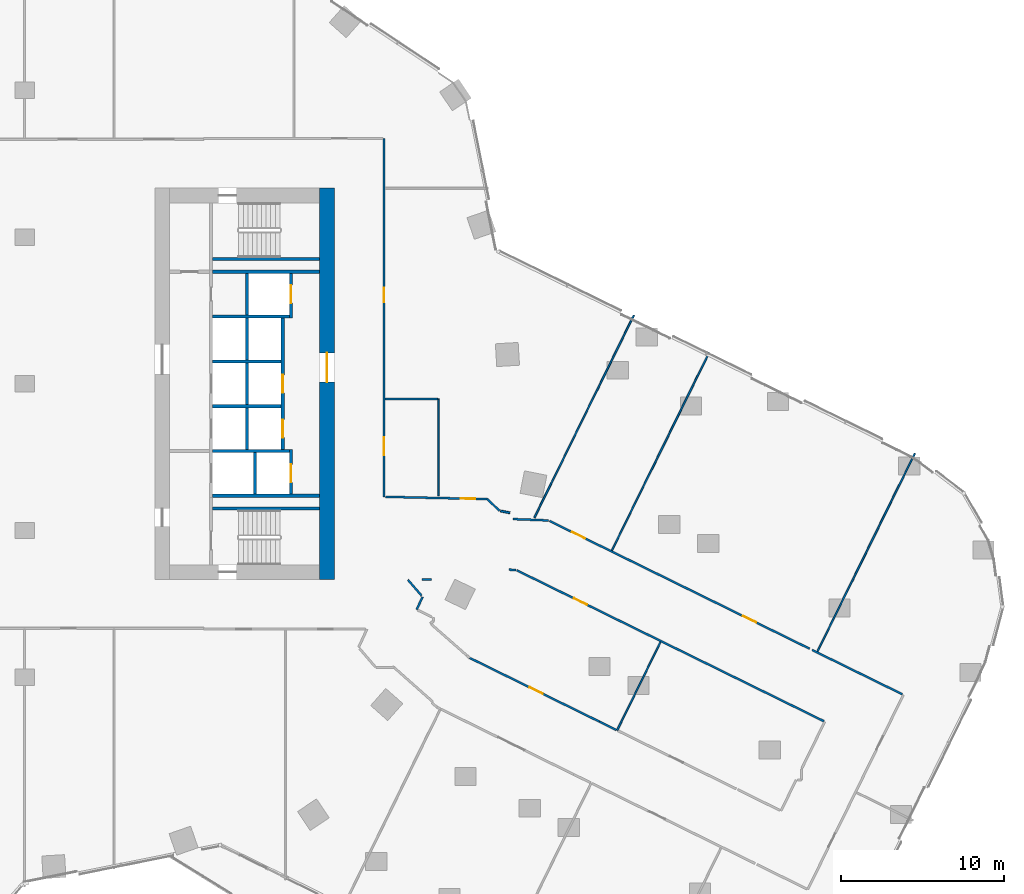
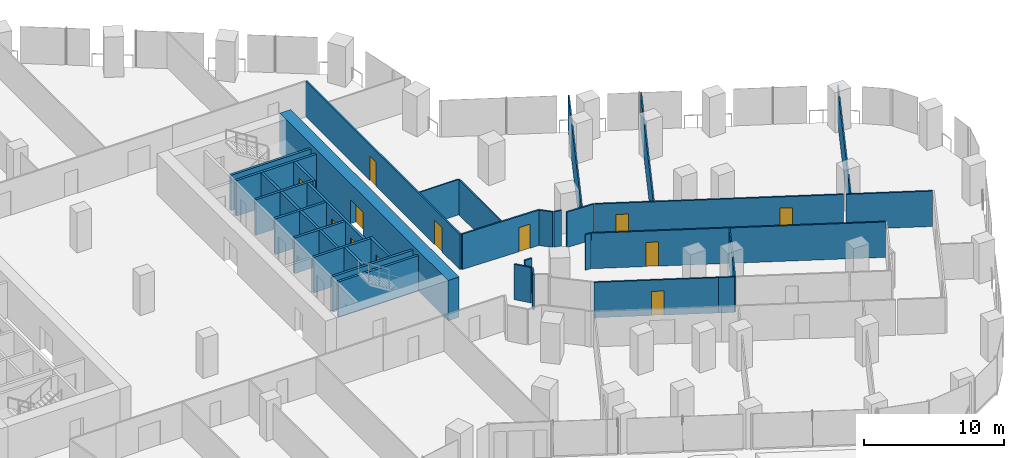
# One storey, part 26 of 32: 37 walls, 12 doors, 12 openings.
"""IFC4 building model written with IfcOpenShell, lengths in metres."""

from ifc_helpers import new_model, si_unit, direction, frame, frame_2d, origin, place, context, subcontext, project, spatial, rectangle, extrude, material, layer, layer_set, type_object, element, fill, save


model = new_model("IFC4")

# Units and contexts
model_context = context("Model", 3, precision=1e-05, world=origin(), true_north=direction((0.0, 1.0)))
body_context = subcontext(model_context, "Body", "Model", "MODEL_VIEW")
ifc_project = project(units=[si_unit("LENGTHUNIT", "METRE"), si_unit("AREAUNIT", "SQUARE_METRE"), si_unit("VOLUMEUNIT", "CUBIC_METRE"), si_unit("PLANEANGLEUNIT", "RADIAN"), si_unit("MASSUNIT", "GRAM", prefix="KILO")], contexts=[model_context])

# Site, building, storey
site_placement = place(None, origin())
site = spatial("IfcSite", under=ifc_project, at=site_placement, CompositionType="ELEMENT")
building_placement = place(site_placement, origin())
building = spatial("IfcBuilding", under=site, at=building_placement, Name="Orlundy Tower", CompositionType="ELEMENT")
storey_placement = place(building_placement, frame((0.0, 0.0, 58.800048828125)))
storey = spatial("IfcBuildingStorey", under=building, at=storey_placement, Name="L13", CompositionType="ELEMENT", Elevation=58.800048828125)

# Wall, opening, door
ifc_material_1 = material(Name="Concrete C80/95", Category="concrete")
ifc_layer_1 = layer(ifc_material_1, 0.89990234375)
ifc_layer_set_1 = layer_set([ifc_layer_1], Name="CORE WALL 900 C80/95")
wall_type_1 = type_object("IfcWallType", Name="CORE WALL 900 C80/95", PredefinedType="SHEAR", material=ifc_layer_set_1)
wall_1_placement = place(storey_placement, frame((18.550048828125, -12.0, 0.0), z_axis=(0.0, 0.0, 1.0), x_axis=(0.0, 1.0, 0.0)))
wall_1 = element("IfcWall", 1, at=wall_1_placement, inside=storey, type_object=wall_type_1, Name="Core wall E-E L13", PredefinedType="SHEAR", context=body_context, shape_type="SweptSolid", body=[
    extrude(rectangle(XDim=24.0, YDim=0.89990234375, at=frame_2d((12.0, 0.0))), origin(), (0.0, 0.0, 1.0), 3.5),
])
opening_1_placement = place(wall_1_placement, frame((12.10009765625, 0.0, 0.0)))
opening_1 = element("IfcOpeningElement", 2, at=opening_1_placement, cuts=wall_1, Name="Opening 12059", PredefinedType="OPENING", context=body_context, shape_type="SweptSolid", body=[
    extrude(rectangle(XDim=1.800048828125, YDim=2.10009765625, at=frame_2d((0.89990234375, 1.050048828125))), frame((0.0, 0.4599609375, 0.0), z_axis=(0.0, -1.0, 0.0), x_axis=(1.0, 0.0, 0.0)), (0.0, 0.0, 1.0), 0.919921875),
])
ifc_material_2 = material(Name="Timber door set", Category="wood")
door_type_1 = type_object("IfcDoorType", Name="Lobby Door 1800x2100", OperationType="DOUBLE_DOOR_DOUBLE_SWING", PredefinedType="DOOR", material=ifc_material_2)
door_1_placement = place(opening_1_placement, origin())
door_1 = element("IfcDoor", 3, at=door_1_placement, inside=storey, type_object=door_type_1, Name="Lift lobby door 12059", OperationType="SINGLE_SWING_RIGHT", OverallHeight=2.10009765625, OverallWidth=1.800048828125, PredefinedType="DOOR", context=body_context, shape_type="SweptSolid", body=[
    extrude(rectangle(XDim=1.800048828125, YDim=2.10009765625, at=frame_2d((0.89990234375, 1.050048828125))), frame((0.0, 0.02490234375, 0.0), z_axis=(0.0, -1.0, 0.0), x_axis=(1.0, 0.0, 0.0)), (0.0, 0.0, 1.0), 0.050048828125),
])
fill(opening_1, door_1)

# Walls
ifc_material_3 = material(Name="Gypsum board partition")
ifc_layer_2 = layer(ifc_material_3, 0.10009765625)
ifc_layer_set_2 = layer_set([ifc_layer_2], Name="Floor partition 100")
wall_type_2 = type_object("IfcWallType", Name="Floor partition 100", PredefinedType="PARTITIONING", material=ifc_layer_set_2)
wall_2_placement = place(storey_placement, frame((22.113037109375, -0.931884765625, 0.0), z_axis=(0.0, 0.0, 1.0), x_axis=(1.0, 0.0, 0.0)))
element("IfcWall", 4, at=wall_2_placement, inside=storey, type_object=wall_type_2, Name="wall-int-L13-053", PredefinedType="PARTITIONING", context=body_context, shape_type="SweptSolid", body=[
    extrude(rectangle(XDim=3.219970703125, YDim=0.10009765625, at=frame_2d((1.60986328125, 0.0))), origin(), (0.0, 0.0, 1.0), 3.079833984375),
])
wall_3_placement = place(storey_placement, frame((48.64404296875, -16.4208984375, 0.0), z_axis=(0.0, 0.0, 1.0), x_axis=(0.440940839441, 0.897536169808, 0.0)))
element("IfcWall", 5, at=wall_3_placement, inside=storey, type_object=wall_type_2, Name="wall-int-L13-083", PredefinedType="PARTITIONING", context=body_context, shape_type="SweptSolid", body=[
    extrude(rectangle(XDim=13.536865234375, YDim=0.10009765625, at=frame_2d((6.7685546875, 0.0))), origin(), (0.0, 0.0, 1.0), 3.079833984375),
])
wall_4_placement = place(storey_placement, frame((36.35107421875, -21.258056640625, 0.0), z_axis=(0.0, 0.0, 1.0), x_axis=(0.440827848832, 0.897591670914, 0.0)))
element("IfcWall", 6, at=wall_4_placement, inside=storey, type_object=wall_type_2, Name="wall-int-L13-085", PredefinedType="PARTITIONING", context=body_context, shape_type="SweptSolid", body=[
    extrude(rectangle(XDim=6.0361328125, YDim=0.10009765625, at=frame_2d((3.01806640625, 0.0))), origin(), (0.0, 0.0, 1.0), 3.079833984375),
])
wall_5_placement = place(storey_placement, frame((36.031005859375, -10.222900390625, 0.0), z_axis=(0.0, 0.0, 1.0), x_axis=(0.44102750491, 0.897493587672, 0.0)))
element("IfcWall", 7, at=wall_5_placement, inside=storey, type_object=wall_type_2, Name="wall-int-L13-086", PredefinedType="PARTITIONING", context=body_context, shape_type="SweptSolid", body=[
    extrude(rectangle(XDim=13.53662109375, YDim=0.10009765625, at=frame_2d((6.768310546875, 0.0))), origin(), (0.0, 0.0, 1.0), 3.079833984375),
])
wall_6_placement = place(storey_placement, frame((31.27490234375, -8.217041015625, 0.0), z_axis=(0.0, 0.0, 1.0), x_axis=(0.440962245693, 0.897525653045, 0.0)))
element("IfcWall", 8, at=wall_6_placement, inside=storey, type_object=wall_type_2, Name="wall-int-L13-088", PredefinedType="PARTITIONING", context=body_context, shape_type="SweptSolid", body=[
    extrude(rectangle(XDim=13.83349609375, YDim=0.10009765625, at=frame_2d((6.916748046875, 0.0))), origin(), (0.0, 0.0, 1.0), 3.079833984375),
])
wall_7_placement = place(storey_placement, frame((25.383056640625, -6.8701171875, 0.0), z_axis=(0.0, 0.0, 1.0), x_axis=(0.0, 1.0, 0.0)))
element("IfcWall", 9, at=wall_7_placement, inside=storey, type_object=wall_type_2, Name="wall-int-L13-097", PredefinedType="PARTITIONING", context=body_context, shape_type="SweptSolid", body=[
    extrude(rectangle(XDim=5.938232421875, YDim=0.10009765625, at=frame_2d((2.96923828125, 0.0))), origin(), (0.0, 0.0, 1.0), 3.079833984375),
])
ifc_material_4 = material(Name="Gypsum board partition, double layer")
ifc_layer_3 = layer(ifc_material_4, 0.125)
ifc_layer_set_3 = layer_set([ifc_layer_3], Name="Floor partition 125")
wall_type_3 = type_object("IfcWallType", Name="Floor partition 125", PredefinedType="PARTITIONING", material=ifc_layer_set_3)
wall_8_placement = place(storey_placement, frame((23.52099609375, -12.028076171875, 0.0), z_axis=(0.0, 0.0, 1.0), x_axis=(0.653179910437, -0.757202749996, 0.0)))
element("IfcWall", 10, at=wall_8_placement, inside=storey, type_object=wall_type_3, Name="wall-int-L13-006", PredefinedType="PARTITIONING", context=body_context, shape_type="SweptSolid", body=[
    extrude(rectangle(XDim=1.2861328125, YDim=0.125, at=frame_2d((0.64306640625, 0.0))), origin(), (0.0, 0.0, 1.0), 3.079833984375),
])

# Wall, opening, door
wall_9_placement = place(storey_placement, frame((27.303955078125, -16.81298828125, 0.0), z_axis=(0.0, 0.0, 1.0), x_axis=(0.897492436915, -0.441029846701, 0.0)))
wall_9 = element("IfcWall", 11, at=wall_9_placement, inside=storey, type_object=wall_type_3, Name="wall-int-L13-030", PredefinedType="PARTITIONING", context=body_context, shape_type="SweptSolid", body=[
    extrude(rectangle(XDim=8.874755859375, YDim=0.125, at=frame_2d((4.4375, 0.0))), origin(), (0.0, 0.0, 1.0), 3.079833984375),
])
opening_2_placement = place(wall_9_placement, frame((4.10009765625, 0.0, 0.0)))
opening_2 = element("IfcOpeningElement", 12, at=opening_2_placement, cuts=wall_9, Name="Opening 12102", PredefinedType="OPENING", context=body_context, shape_type="SweptSolid", body=[
    extrude(rectangle(XDim=0.89990234375, YDim=2.10009765625, at=frame_2d((0.449951171875, 1.050048828125))), frame((0.0, 0.072509765625, 0.0), z_axis=(0.0, -1.0, 0.0), x_axis=(1.0, 0.0, 0.0)), (0.0, 0.0, 1.0), 0.14501953125),
])
ifc_material_5 = material(Name="Timber door leaf", Category="wood")
door_type_2 = type_object("IfcDoorType", Name="Floor door single 900 FD30S", OperationType="NOTDEFINED", PredefinedType="DOOR", material=ifc_material_5)
door_2_placement = place(opening_2_placement, origin())
door_2 = element("IfcDoor", 13, at=door_2_placement, inside=storey, type_object=door_type_2, Name="Door 12102", OperationType="SINGLE_SWING_RIGHT", OverallHeight=2.10009765625, OverallWidth=0.89990234375, PredefinedType="DOOR", context=body_context, shape_type="SweptSolid", body=[
    extrude(rectangle(XDim=0.89990234375, YDim=2.10009765625, at=frame_2d((0.449951171875, 1.050048828125))), frame((0.0, 0.02490234375, 0.0), z_axis=(0.0, -1.0, 0.0), x_axis=(1.0, 0.0, 0.0)), (0.0, 0.0, 1.0), 0.050048828125),
])
fill(opening_2, door_2)

wall_10_placement = place(storey_placement, frame((49.035888671875, -20.696044921875, 0.0), z_axis=(0.0, 0.0, 1.0), x_axis=(-0.897509654304, 0.440994807715, 0.0)))
wall_10 = element("IfcWall", 14, at=wall_10_placement, inside=storey, type_object=wall_type_3, Name="wall-int-L13-034", PredefinedType="PARTITIONING", context=body_context, shape_type="SweptSolid", body=[
    extrude(rectangle(XDim=20.984619140625, YDim=0.125, at=frame_2d((10.4921875, 0.0))), origin(), (0.0, 0.0, 1.0), 3.079833984375),
])
opening_3_placement = place(wall_10_placement, frame((16.19189453125, 0.0, 0.0)))
opening_3 = element("IfcOpeningElement", 15, at=opening_3_placement, cuts=wall_10, Name="Opening 12103", PredefinedType="OPENING", context=body_context, shape_type="SweptSolid", body=[
    extrude(rectangle(XDim=0.89990234375, YDim=2.10009765625, at=frame_2d((0.449951171875, 1.050048828125))), frame((0.0, 0.072509765625, 0.0), z_axis=(0.0, -1.0, 0.0), x_axis=(1.0, 0.0, 0.0)), (0.0, 0.0, 1.0), 0.14501953125),
])
door_3_placement = place(opening_3_placement, origin())
door_3 = element("IfcDoor", 16, at=door_3_placement, inside=storey, type_object=door_type_2, Name="Door 12103", OperationType="SINGLE_SWING_RIGHT", OverallHeight=2.10009765625, OverallWidth=0.89990234375, PredefinedType="DOOR", context=body_context, shape_type="SweptSolid", body=[
    extrude(rectangle(XDim=0.89990234375, YDim=2.10009765625, at=frame_2d((0.449951171875, 1.050048828125))), frame((0.0, 0.02490234375, 0.0), z_axis=(0.0, -1.0, 0.0), x_axis=(1.0, 0.0, 0.0)), (0.0, 0.0, 1.0), 0.050048828125),
])
fill(opening_3, door_3)

# Wall, openings, doors
wall_11_placement = place(storey_placement, frame((32.199951171875, -8.410888671875, 0.0), z_axis=(0.0, 0.0, 1.0), x_axis=(0.897530587373, -0.440952202318, 0.0)))
wall_11 = element("IfcWall", 17, at=wall_11_placement, inside=storey, type_object=wall_type_3, Name="wall-int-L13-035", PredefinedType="PARTITIONING", context=body_context, shape_type="SweptSolid", body=[
    extrude(rectangle(XDim=17.77978515625, YDim=0.125, at=frame_2d((8.889892578125, 0.0))), origin(), (0.0, 0.0, 1.0), 3.079833984375),
])
opening_4_placement = place(wall_11_placement, frame((1.53759765625, 0.0, 0.0)))
opening_4 = element("IfcOpeningElement", 18, at=opening_4_placement, cuts=wall_11, Name="Opening 12100", PredefinedType="OPENING", context=body_context, shape_type="SweptSolid", body=[
    extrude(rectangle(XDim=0.89990234375, YDim=2.10009765625, at=frame_2d((0.449951171875, 1.050048828125))), frame((0.0, 0.072509765625, 0.0), z_axis=(0.0, -1.0, 0.0), x_axis=(1.0, 0.0, 0.0)), (0.0, 0.0, 1.0), 0.14501953125),
])
opening_5_placement = place(wall_11_placement, frame((13.240478515625, 0.0, 0.0)))
opening_5 = element("IfcOpeningElement", 19, at=opening_5_placement, cuts=wall_11, Name="Opening 12101", PredefinedType="OPENING", context=body_context, shape_type="SweptSolid", body=[
    extrude(rectangle(XDim=0.89990234375, YDim=2.10009765625, at=frame_2d((0.449951171875, 1.050048828125))), frame((0.0, 0.072509765625, 0.0), z_axis=(0.0, -1.0, 0.0), x_axis=(1.0, 0.0, 0.0)), (0.0, 0.0, 1.0), 0.14501953125),
])
door_4_placement = place(opening_4_placement, origin())
door_4 = element("IfcDoor", 20, at=door_4_placement, inside=storey, type_object=door_type_2, Name="Door 12100", OperationType="SINGLE_SWING_LEFT", OverallHeight=2.10009765625, OverallWidth=0.89990234375, PredefinedType="DOOR", context=body_context, shape_type="SweptSolid", body=[
    extrude(rectangle(XDim=0.89990234375, YDim=2.10009765625, at=frame_2d((0.449951171875, 1.050048828125))), frame((0.0, 0.02490234375, 0.0), z_axis=(0.0, -1.0, 0.0), x_axis=(1.0, 0.0, 0.0)), (0.0, 0.0, 1.0), 0.050048828125),
])
fill(opening_4, door_4)
door_5_placement = place(opening_5_placement, origin())
door_5 = element("IfcDoor", 21, at=door_5_placement, inside=storey, type_object=door_type_2, Name="Door 12101", OperationType="SINGLE_SWING_RIGHT", OverallHeight=2.10009765625, OverallWidth=0.89990234375, PredefinedType="DOOR", context=body_context, shape_type="SweptSolid", body=[
    extrude(rectangle(XDim=0.89990234375, YDim=2.10009765625, at=frame_2d((0.449951171875, 1.050048828125))), frame((0.0, 0.02490234375, 0.0), z_axis=(0.0, -1.0, 0.0), x_axis=(1.0, 0.0, 0.0)), (0.0, 0.0, 1.0), 0.050048828125),
])
fill(opening_5, door_5)

# Walls
wall_12_placement = place(storey_placement, frame((53.85400390625, -19.049072265625, 0.0), z_axis=(0.0, 0.0, 1.0), x_axis=(-0.897616669458, 0.440776944395, 0.0)))
element("IfcWall", 22, at=wall_12_placement, inside=storey, type_object=wall_type_3, Name="wall-int-L13-036", PredefinedType="PARTITIONING", context=body_context, shape_type="SweptSolid", body=[
    extrude(rectangle(XDim=6.1708984375, YDim=0.125, at=frame_2d((3.08544921875, 0.0))), origin(), (0.0, 0.0, 1.0), 3.079833984375),
])
wall_13_placement = place(storey_placement, frame((35.26904296875, -20.72705078125, 0.0), z_axis=(0.0, 0.0, 1.0), x_axis=(0.897658489219, -0.440691770667, 0.0)))
element("IfcWall", 23, at=wall_13_placement, inside=storey, type_object=wall_type_3, Name="wall-int-L13-039", PredefinedType="PARTITIONING", context=body_context, shape_type="SweptSolid", body=[
    extrude(rectangle(XDim=1.155029296875, YDim=0.125, at=frame_2d((0.57763671875, 0.0))), origin(), (0.0, 0.0, 1.0), 3.079833984375),
])
wall_14_placement = place(storey_placement, frame((32.14404296875, -8.383056640625, 0.0), z_axis=(0.0, 0.0, 1.0), x_axis=(-0.999243574473, 0.038888029962, 0.0)))
element("IfcWall", 24, at=wall_14_placement, inside=storey, type_object=wall_type_3, Name="wall-int-L13-042", PredefinedType="PARTITIONING", context=body_context, shape_type="SweptSolid", body=[
    extrude(rectangle(XDim=2.184814453125, YDim=0.125, at=frame_2d((1.09228515625, 0.0))), origin(), (0.0, 0.0, 1.0), 3.079833984375),
])
wall_15_placement = place(storey_placement, frame((29.197998046875, -7.802001953125, 0.0), z_axis=(0.0, 0.0, 1.0), x_axis=(0.98115426744, -0.19322604246, 0.0)))
element("IfcWall", 25, at=wall_15_placement, inside=storey, type_object=wall_type_3, Name="wall-int-L13-043", PredefinedType="PARTITIONING", context=body_context, shape_type="SweptSolid", body=[
    extrude(rectangle(XDim=0.5849609375, YDim=0.125, at=frame_2d((0.29248046875, 0.0))), origin(), (0.0, 0.0, 1.0), 3.079833984375),
])
wall_16_placement = place(storey_placement, frame((29.708984375, -11.404052734375, 0.0), z_axis=(0.0, 0.0, 1.0), x_axis=(0.99973778302, -0.022899021846, 0.0)))
element("IfcWall", 26, at=wall_16_placement, inside=storey, type_object=wall_type_3, Name="wall-int-L13-044", PredefinedType="PARTITIONING", context=body_context, shape_type="SweptSolid", body=[
    extrude(rectangle(XDim=0.43701171875, YDim=0.125, at=frame_2d((0.218505859375, 0.0))), origin(), (0.0, 0.0, 1.0), 3.079833984375),
])

# Wall, opening, door
wall_17_placement = place(storey_placement, frame((22.157958984375, -6.93408203125, 0.0), z_axis=(0.0, 0.0, 1.0), x_axis=(0.999751648266, -0.022285461407, 0.0)))
wall_17 = element("IfcWall", 27, at=wall_17_placement, inside=storey, type_object=wall_type_3, Name="wall-int-L13-045", PredefinedType="PARTITIONING", context=body_context, shape_type="SweptSolid", body=[
    extrude(rectangle(XDim=6.2333984375, YDim=0.125, at=frame_2d((3.11669921875, 0.0))), origin(), (0.0, 0.0, 1.0), 3.079833984375),
])
opening_6_placement = place(wall_17_placement, frame((4.597900390625, 0.0, 0.0)))
opening_6 = element("IfcOpeningElement", 28, at=opening_6_placement, cuts=wall_17, Name="Opening 12127", PredefinedType="OPENING", context=body_context, shape_type="SweptSolid", body=[
    extrude(rectangle(XDim=0.89990234375, YDim=2.10009765625, at=frame_2d((0.449951171875, 1.050048828125))), frame((0.0, 0.072509765625, 0.0), z_axis=(0.0, -1.0, 0.0), x_axis=(1.0, 0.0, 0.0)), (0.0, 0.0, 1.0), 0.14501953125),
])
door_6_placement = place(opening_6_placement, origin())
door_6 = element("IfcDoor", 29, at=door_6_placement, inside=storey, type_object=door_type_2, Name="Door 12127", OperationType="SINGLE_SWING_RIGHT", OverallHeight=2.10009765625, OverallWidth=0.89990234375, PredefinedType="DOOR", context=body_context, shape_type="SweptSolid", body=[
    extrude(rectangle(XDim=0.89990234375, YDim=2.10009765625, at=frame_2d((0.449951171875, 1.050048828125))), frame((0.0, 0.02490234375, 0.0), z_axis=(0.0, -1.0, 0.0), x_axis=(1.0, 0.0, 0.0)), (0.0, 0.0, 1.0), 0.050048828125),
])
fill(opening_6, door_6)

# Walls
wall_18_placement = place(storey_placement, frame((24.3759765625, -12.0, 0.0), z_axis=(0.0, 0.0, 1.0), x_axis=(1.0, 0.0, 0.0)))
element("IfcWall", 30, at=wall_18_placement, inside=storey, type_object=wall_type_3, Name="wall-int-L13-052", PredefinedType="PARTITIONING", context=body_context, shape_type="SweptSolid", body=[
    extrude(rectangle(XDim=0.5830078125, YDim=0.125, at=frame_2d((0.29150390625, 0.0))), origin(), (0.0, 0.0, 1.0), 3.079833984375),
])
wall_19_placement = place(storey_placement, frame((24.048095703125, -13.85009765625, 0.0), z_axis=(0.0, 0.0, 1.0), x_axis=(0.435939229334, 0.899976104309, 0.0)))
element("IfcWall", 31, at=wall_19_placement, inside=storey, type_object=wall_type_3, Name="wall-int-L13-089", PredefinedType="PARTITIONING", context=body_context, shape_type="SweptSolid", body=[
    extrude(rectangle(XDim=0.860107421875, YDim=0.125, at=frame_2d((0.43017578125, 0.0))), origin(), (0.0, 0.0, 1.0), 3.079833984375),
])
wall_20_placement = place(storey_placement, frame((29.136962890625, -7.7900390625, 0.0), z_axis=(0.0, 0.0, 1.0), x_axis=(-0.721457989557, 0.692458207623, 0.0)))
element("IfcWall", 32, at=wall_20_placement, inside=storey, type_object=wall_type_3, Name="wall-int-L13-095", PredefinedType="PARTITIONING", context=body_context, shape_type="SweptSolid", body=[
    extrude(rectangle(XDim=1.035400390625, YDim=0.125, at=frame_2d((0.517578125, 0.0))), origin(), (0.0, 0.0, 1.0), 3.079833984375),
])

# Wall, openings, doors
wall_21_placement = place(storey_placement, frame((22.051025390625, 15.050048828125, 0.0), z_axis=(0.0, 0.0, 1.0), x_axis=(0.0, -1.0, 0.0)))
wall_21 = element("IfcWall", 33, at=wall_21_placement, inside=storey, type_object=wall_type_3, Name="wall-int-L13-099", PredefinedType="PARTITIONING", context=body_context, shape_type="SweptSolid", body=[
    extrude(rectangle(XDim=21.98095703125, YDim=0.125, at=frame_2d((10.990478515625, 0.0))), origin(), (0.0, 0.0, 1.0), 3.079833984375),
])
opening_7_placement = place(wall_21_placement, frame((9.14990234375, 0.0, 0.0)))
opening_7 = element("IfcOpeningElement", 34, at=opening_7_placement, cuts=wall_21, Name="Opening 12126", PredefinedType="OPENING", context=body_context, shape_type="SweptSolid", body=[
    extrude(rectangle(XDim=0.89990234375, YDim=2.10009765625, at=frame_2d((0.449951171875, 1.050048828125))), frame((0.0, 0.072509765625, 0.0), z_axis=(0.0, -1.0, 0.0), x_axis=(1.0, 0.0, 0.0)), (0.0, 0.0, 1.0), 0.14501953125),
])
opening_8_placement = place(wall_21_placement, frame((18.33203125, 0.0, 0.0)))
opening_8 = element("IfcOpeningElement", 35, at=opening_8_placement, cuts=wall_21, Name="Opening 12135", PredefinedType="OPENING", context=body_context, shape_type="SweptSolid", body=[
    extrude(rectangle(XDim=1.10009765625, YDim=2.10009765625, at=frame_2d((0.550048828125, 1.050048828125))), frame((0.0, 0.072509765625, 0.0), z_axis=(0.0, -1.0, 0.0), x_axis=(1.0, 0.0, 0.0)), (0.0, 0.0, 1.0), 0.14501953125),
])
door_7_placement = place(opening_7_placement, origin())
door_7 = element("IfcDoor", 36, at=door_7_placement, inside=storey, type_object=door_type_2, Name="Door 12126", OperationType="SINGLE_SWING_LEFT", OverallHeight=2.10009765625, OverallWidth=0.89990234375, PredefinedType="DOOR", context=body_context, shape_type="SweptSolid", body=[
    extrude(rectangle(XDim=0.89990234375, YDim=2.10009765625, at=frame_2d((0.449951171875, 1.050048828125))), frame((0.0, 0.02490234375, 0.0), z_axis=(0.0, -1.0, 0.0), x_axis=(1.0, 0.0, 0.0)), (0.0, 0.0, 1.0), 0.050048828125),
])
fill(opening_7, door_7)
ifc_material_6 = material(Name="Timber door leaf", Category="wood")
door_type_3 = type_object("IfcDoorType", Name="Floor door xwide 1100 FD30S", OperationType="NOTDEFINED", PredefinedType="DOOR", material=ifc_material_6)
door_8_placement = place(opening_8_placement, origin())
door_8 = element("IfcDoor", 37, at=door_8_placement, inside=storey, type_object=door_type_3, Name="Door 12135", OperationType="SINGLE_SWING_RIGHT", OverallHeight=2.10009765625, OverallWidth=1.10009765625, PredefinedType="DOOR", context=body_context, shape_type="SweptSolid", body=[
    extrude(rectangle(XDim=1.10009765625, YDim=2.10009765625, at=frame_2d((0.550048828125, 1.050048828125))), frame((0.0, 0.02490234375, 0.0), z_axis=(0.0, -1.0, 0.0), x_axis=(1.0, 0.0, 0.0)), (0.0, 0.0, 1.0), 0.050048828125),
])
fill(opening_8, door_8)

# Walls
ifc_material_7 = material(Name="Concrete C40/50", Category="concrete")
ifc_layer_4 = layer(ifc_material_7, 0.199951171875)
ifc_layer_set_4 = layer_set([ifc_layer_4], Name="Load-bearing Shaft Wall 200")
wall_type_4 = type_object("IfcWallType", Name="Load-bearing Shaft Wall 200", PredefinedType="SOLIDWALL", material=ifc_layer_set_4)
for number, where, z_axis, x_axis, name in (
    (38, (11.5400390625, -7.64990234375, 0.0), (0.0, 0.0, 1.0), (1.0, 0.0, 0.0), "Shaft wall E12-stair-side-n"),
    (39, (11.5400390625, 7.64990234375, 0.0), (0.0, 0.0, 1.0), (1.0, 0.0, 0.0), "Shaft wall E12-stair-side-s"),
):
    element("IfcWall", number, at=place(storey_placement, frame(where, z_axis=z_axis, x_axis=x_axis)), inside=storey, type_object=wall_type_4, Name=name, PredefinedType="SOLIDWALL", context=body_context, shape_type="SweptSolid", body=[
        extrude(rectangle(XDim=6.56005859375, YDim=0.199951171875, at=frame_2d((3.280029296875, 0.0))), origin(), (0.0, 0.0, 1.0), 3.08984375),
    ])
ifc_material_8 = material(Name="Fire-rated blockwork shaft wall", Category="masonry")
ifc_layer_5 = layer(ifc_material_8, 0.199951171875)
ifc_layer_set_5 = layer_set([ifc_layer_5], Name="Shaft Wall 200")
wall_type_5 = type_object("IfcWallType", Name="Shaft Wall 200", PredefinedType="SOLIDWALL", material=ifc_layer_set_5)
for number, where, z_axis, x_axis, name in (
    (40, (11.5400390625, -6.875, 0.0), (0.0, 0.0, 1.0), (1.0, 0.0, 0.0), "Shaft wall E12-zone-n"),
    (41, (11.5400390625, 6.875, 0.0), (0.0, 0.0, 1.0), (1.0, 0.0, 0.0), "Shaft wall E12-zone-s"),
):
    element("IfcWall", number, at=place(storey_placement, frame(where, z_axis=z_axis, x_axis=x_axis)), inside=storey, type_object=wall_type_5, Name=name, PredefinedType="SOLIDWALL", context=body_context, shape_type="SweptSolid", body=[
        extrude(rectangle(XDim=6.56005859375, YDim=0.199951171875, at=frame_2d((3.280029296875, 0.0))), origin(), (0.0, 0.0, 1.0), 3.08984375),
    ])
wall_22_placement = place(storey_placement, frame((11.5400390625, 4.125, 0.0), z_axis=(0.0, 0.0, 1.0), x_axis=(1.0, 0.0, 0.0)))
element("IfcWall", 42, at=wall_22_placement, inside=storey, type_object=wall_type_5, Name="Shaft wall E12-cross-4.125", PredefinedType="SOLIDWALL", context=body_context, shape_type="SweptSolid", body=[
    extrude(rectangle(XDim=4.699951171875, YDim=0.199951171875, at=frame_2d((2.35009765625, 0.0))), origin(), (0.0, 0.0, 1.0), 3.08984375),
])
for number, where, z_axis, x_axis, name in (
    (43, (11.5400390625, 1.375, 0.0), (0.0, 0.0, 1.0), (1.0, 0.0, 0.0), "Shaft wall E12-cross-1.375"),
    (44, (11.5400390625, -1.375, 0.0), (0.0, 0.0, 1.0), (1.0, 0.0, 0.0), "Shaft wall E12-cross+1.375"),
):
    element("IfcWall", number, at=place(storey_placement, frame(where, z_axis=z_axis, x_axis=x_axis)), inside=storey, type_object=wall_type_5, Name=name, PredefinedType="SOLIDWALL", context=body_context, shape_type="SweptSolid", body=[
        extrude(rectangle(XDim=4.199951171875, YDim=0.199951171875, at=frame_2d((2.10009765625, 0.0))), origin(), (0.0, 0.0, 1.0), 3.08984375),
    ])
wall_23_placement = place(storey_placement, frame((11.5400390625, -4.125, 0.0), z_axis=(0.0, 0.0, 1.0), x_axis=(1.0, 0.0, 0.0)))
element("IfcWall", 45, at=wall_23_placement, inside=storey, type_object=wall_type_5, Name="Shaft wall E12-cross+4.125", PredefinedType="SOLIDWALL", context=body_context, shape_type="SweptSolid", body=[
    extrude(rectangle(XDim=4.699951171875, YDim=0.199951171875, at=frame_2d((2.35009765625, 0.0))), origin(), (0.0, 0.0, 1.0), 3.08984375),
])
for number, where, z_axis, x_axis, name in (
    (46, (13.639892578125, 6.77490234375, 0.0), (0.0, 0.0, 1.0), (0.0, -1.0, 0.0), "Shaft wall E12-mid-a"),
    (47, (13.639892578125, 4.02490234375, 0.0), (0.0, 0.0, 1.0), (0.0, -1.0, 0.0), "Shaft wall E12-mid-a.1"),
    (48, (13.639892578125, 1.27490234375, 0.0), (0.0, 0.0, 1.0), (0.0, -1.0, 0.0), "Shaft wall E12-mid-a.2"),
    (49, (13.639892578125, -1.47509765625, 0.0), (0.0, 0.0, 1.0), (0.0, -1.0, 0.0), "Shaft wall E12-mid-a.3"),
    (50, (14.139892578125, -4.22509765625, 0.0), (0.0, 0.0, 1.0), (0.0, -1.0, 0.0), "Shaft wall E12-mid-b"),
):
    element("IfcWall", number, at=place(storey_placement, frame(where, z_axis=z_axis, x_axis=x_axis)), inside=storey, type_object=wall_type_5, Name=name, PredefinedType="SOLIDWALL", context=body_context, shape_type="SweptSolid", body=[
        extrude(rectangle(XDim=2.5498046875, YDim=0.199951171875, at=frame_2d((1.27490234375, 0.0))), origin(), (0.0, 0.0, 1.0), 3.08984375),
    ])

# Wall, opening, door
wall_24_placement = place(storey_placement, frame((16.340087890625, 6.77490234375, 0.0), z_axis=(0.0, 0.0, 1.0), x_axis=(0.0, -1.0, 0.0)))
wall_24 = element("IfcWall", 51, at=wall_24_placement, inside=storey, type_object=wall_type_5, Name="Shaft wall E12-front-o-a", PredefinedType="SOLIDWALL", context=body_context, shape_type="SweptSolid", body=[
    extrude(rectangle(XDim=2.75, YDim=0.199951171875, at=frame_2d((1.375, 0.0))), origin(), (0.0, 0.0, 1.0), 3.08984375),
])
opening_9_placement = place(wall_24_placement, frame((0.72509765625, 0.0, 0.0)))
opening_9 = element("IfcOpeningElement", 52, at=opening_9_placement, cuts=wall_24, Name="Opening 12050", PredefinedType="OPENING", context=body_context, shape_type="SweptSolid", body=[
    extrude(rectangle(XDim=1.10009765625, YDim=2.10009765625, at=frame_2d((0.550048828125, 1.050048828125))), frame((0.0, 0.110107421875, 0.0), z_axis=(0.0, -1.0, 0.0), x_axis=(1.0, 0.0, 0.0)), (0.0, 0.0, 1.0), 0.22021484375),
])
ifc_material_9 = material(Name="Steel door set", Category="steel")
door_type_4 = type_object("IfcDoorType", Name="Landing Door 1100x2100", OperationType="DOUBLE_DOOR_SLIDING", PredefinedType="DOOR", material=ifc_material_9)
door_9_placement = place(opening_9_placement, origin())
door_9 = element("IfcDoor", 53, at=door_9_placement, inside=storey, type_object=door_type_4, Name="Lift landing door LV-02 12050", OperationType="DOUBLE_DOOR_SLIDING", OverallHeight=2.10009765625, OverallWidth=1.10009765625, PredefinedType="DOOR", context=body_context, shape_type="SweptSolid", body=[
    extrude(rectangle(XDim=1.10009765625, YDim=2.10009765625, at=frame_2d((0.550048828125, 1.050048828125))), frame((0.0, 0.02490234375, 0.0), z_axis=(0.0, -1.0, 0.0), x_axis=(1.0, 0.0, 0.0)), (0.0, 0.0, 1.0), 0.050048828125),
])
fill(opening_9, door_9)

# Wall, openings, doors
wall_25_placement = place(storey_placement, frame((15.840087890625, 4.02490234375, 0.0), z_axis=(0.0, 0.0, 1.0), x_axis=(0.0, -1.0, 0.0)))
wall_25 = element("IfcWall", 54, at=wall_25_placement, inside=storey, type_object=wall_type_5, Name="Shaft wall E12-front-o-b", PredefinedType="SOLIDWALL", context=body_context, shape_type="SweptSolid", body=[
    extrude(rectangle(XDim=8.0498046875, YDim=0.199951171875, at=frame_2d((4.02490234375, 0.0))), origin(), (0.0, 0.0, 1.0), 3.08984375),
])
opening_10_placement = place(wall_25_placement, frame((3.47509765625, 0.0, 0.0)))
opening_10 = element("IfcOpeningElement", 55, at=opening_10_placement, cuts=wall_25, Name="Opening 12052", PredefinedType="OPENING", context=body_context, shape_type="SweptSolid", body=[
    extrude(rectangle(XDim=1.10009765625, YDim=2.10009765625, at=frame_2d((0.550048828125, 1.050048828125))), frame((0.0, 0.110107421875, 0.0), z_axis=(0.0, -1.0, 0.0), x_axis=(1.0, 0.0, 0.0)), (0.0, 0.0, 1.0), 0.22021484375),
])
opening_11_placement = place(wall_25_placement, frame((6.22509765625, 0.0, 0.0)))
opening_11 = element("IfcOpeningElement", 56, at=opening_11_placement, cuts=wall_25, Name="Opening 12054", PredefinedType="OPENING", context=body_context, shape_type="SweptSolid", body=[
    extrude(rectangle(XDim=1.10009765625, YDim=2.10009765625, at=frame_2d((0.550048828125, 1.050048828125))), frame((0.0, 0.110107421875, 0.0), z_axis=(0.0, -1.0, 0.0), x_axis=(1.0, 0.0, 0.0)), (0.0, 0.0, 1.0), 0.22021484375),
])
door_10_placement = place(opening_10_placement, origin())
door_10 = element("IfcDoor", 57, at=door_10_placement, inside=storey, type_object=door_type_4, Name="Lift landing door LP-06 12052", OperationType="DOUBLE_DOOR_SLIDING", OverallHeight=2.10009765625, OverallWidth=1.10009765625, PredefinedType="DOOR", context=body_context, shape_type="SweptSolid", body=[
    extrude(rectangle(XDim=1.10009765625, YDim=2.10009765625, at=frame_2d((0.550048828125, 1.050048828125))), frame((0.0, 0.02490234375, 0.0), z_axis=(0.0, -1.0, 0.0), x_axis=(1.0, 0.0, 0.0)), (0.0, 0.0, 1.0), 0.050048828125),
])
fill(opening_10, door_10)
door_11_placement = place(opening_11_placement, origin())
door_11 = element("IfcDoor", 58, at=door_11_placement, inside=storey, type_object=door_type_4, Name="Lift landing door LP-08 12054", OperationType="DOUBLE_DOOR_SLIDING", OverallHeight=2.10009765625, OverallWidth=1.10009765625, PredefinedType="DOOR", context=body_context, shape_type="SweptSolid", body=[
    extrude(rectangle(XDim=1.10009765625, YDim=2.10009765625, at=frame_2d((0.550048828125, 1.050048828125))), frame((0.0, 0.02490234375, 0.0), z_axis=(0.0, -1.0, 0.0), x_axis=(1.0, 0.0, 0.0)), (0.0, 0.0, 1.0), 0.050048828125),
])
fill(opening_11, door_11)

# Wall, opening, door
wall_26_placement = place(storey_placement, frame((16.340087890625, -4.02490234375, 0.0), z_axis=(0.0, 0.0, 1.0), x_axis=(0.0, -1.0, 0.0)))
wall_26 = element("IfcWall", 59, at=wall_26_placement, inside=storey, type_object=wall_type_5, Name="Shaft wall E12-front-o-c", PredefinedType="SOLIDWALL", context=body_context, shape_type="SweptSolid", body=[
    extrude(rectangle(XDim=2.75, YDim=0.199951171875, at=frame_2d((1.375, 0.0))), origin(), (0.0, 0.0, 1.0), 3.08984375),
])
opening_12_placement = place(wall_26_placement, frame((0.925048828125, 0.0, 0.0)))
opening_12 = element("IfcOpeningElement", 60, at=opening_12_placement, cuts=wall_26, Name="Opening 12056", PredefinedType="OPENING", context=body_context, shape_type="SweptSolid", body=[
    extrude(rectangle(XDim=1.10009765625, YDim=2.10009765625, at=frame_2d((0.550048828125, 1.050048828125))), frame((0.0, 0.110107421875, 0.0), z_axis=(0.0, -1.0, 0.0), x_axis=(1.0, 0.0, 0.0)), (0.0, 0.0, 1.0), 0.22021484375),
])
door_12_placement = place(opening_12_placement, origin())
door_12 = element("IfcDoor", 61, at=door_12_placement, inside=storey, type_object=door_type_4, Name="Lift landing door LP-09 12056", OperationType="DOUBLE_DOOR_SLIDING", OverallHeight=2.10009765625, OverallWidth=1.10009765625, PredefinedType="DOOR", context=body_context, shape_type="SweptSolid", body=[
    extrude(rectangle(XDim=1.10009765625, YDim=2.10009765625, at=frame_2d((0.550048828125, 1.050048828125))), frame((0.0, 0.02490234375, 0.0), z_axis=(0.0, -1.0, 0.0), x_axis=(1.0, 0.0, 0.0)), (0.0, 0.0, 1.0), 0.050048828125),
])
fill(opening_12, door_12)

save(model, "model.ifc")
